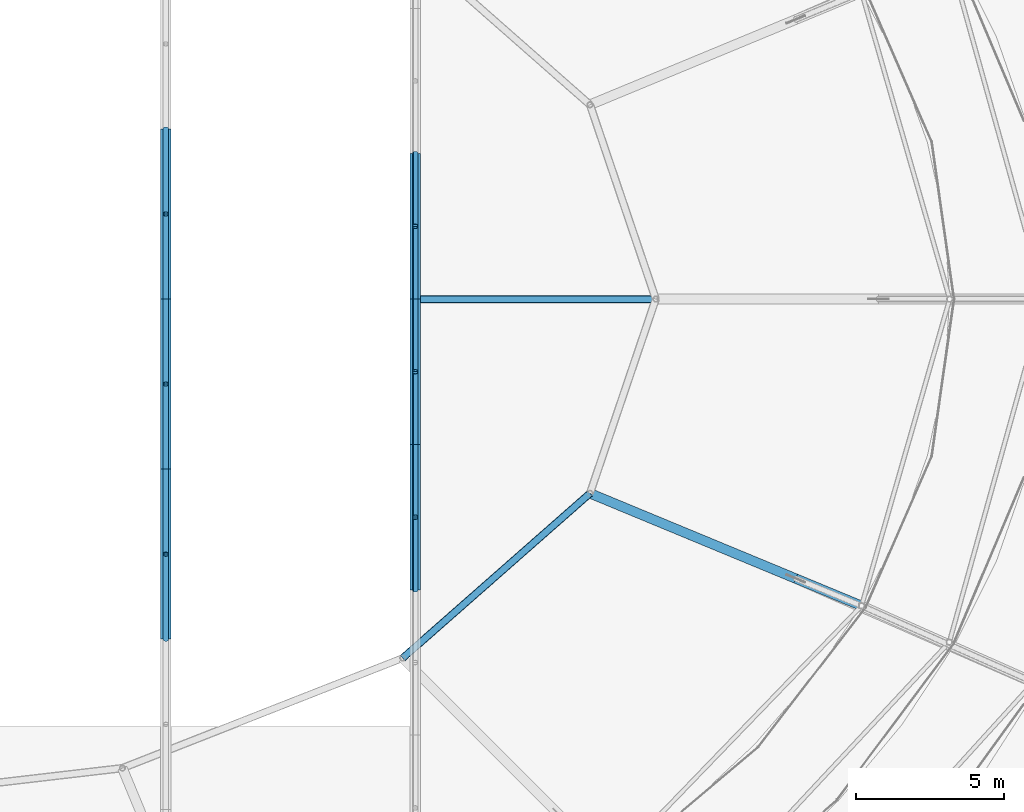
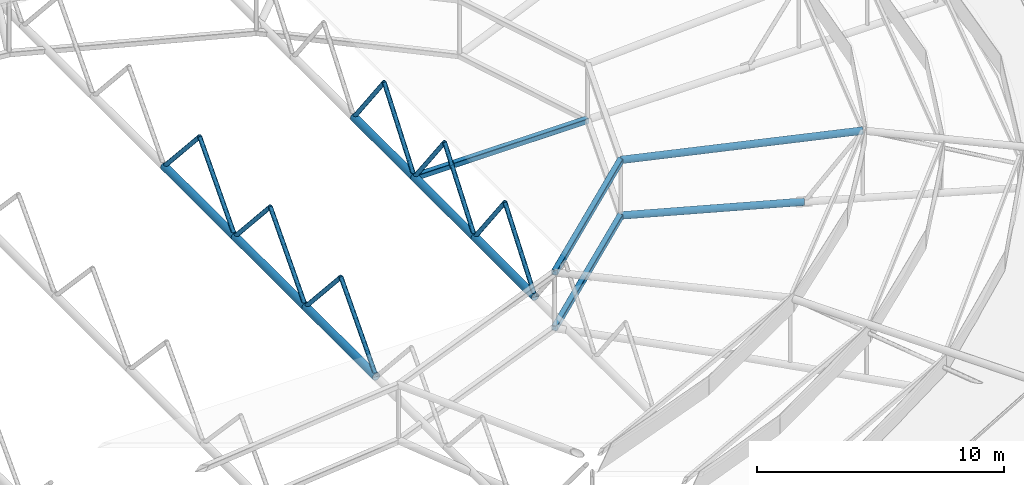
# One storey, part 34 of 134: 23 members.
"""IFC4 building model written with IfcOpenShell, lengths in metres."""

import ifcopenshell
import ifcopenshell.guid

model = None  # the IFC model being written
_history = None  # IfcOwnerHistory: only IFC2X3 demands one
_inside = {}  # id of a spatial element -> (the spatial element, [elements in it])
_under = {}  # id of a project, library or spatial element -> (it, [spatial elements below it])
_declared = {}  # id of a project -> (the project, [libraries it declares])
_typed = {}  # id of a type object -> (the type object, [elements of that type])
_made_of = {}  # id of a material, layer set ... -> (it, [elements and type objects made of it])


def new_model(schema):
    """Start an empty IFC model of exactly this schema.

    Asked for "IFC4X3", IfcOpenShell would pick the latest addendum, in which some entities
    have other attributes; the version numbers below select the first issue.
    IFC2X3 requires an IfcOwnerHistory on every rooted entity: one is made here for all.
    """
    global model, _history
    if schema == "IFC4X3":
        model = ifcopenshell.file(schema_version=(4, 3, 0, 0))
    else:
        model = ifcopenshell.file(schema=schema)
    _inside.clear()
    _under.clear()
    _declared.clear()
    _typed.clear()
    _made_of.clear()
    _history = None
    if model.schema == "IFC2X3":
        org = make("IfcOrganization", Name="unknown")
        user = make(
            "IfcPersonAndOrganization",
            ThePerson=make("IfcPerson", FamilyName="unknown"),
            TheOrganization=org,
        )
        app = make(
            "IfcApplication",
            ApplicationDeveloper=org,
            Version="unknown",
            ApplicationFullName="unknown",
            ApplicationIdentifier="unknown",
        )
        _history = make(
            "IfcOwnerHistory",
            OwningUser=user,
            OwningApplication=app,
            ChangeAction="ADDED",
            CreationDate=0,
        )
    return model


def make(cls, **values):
    """One entity of the class cls with the attributes given. An attribute that is None is left unset."""
    return model.create_entity(
        cls, **{name: value for name, value in values.items() if value is not None}
    )


def rooted(cls, **values):
    """An entity with a GlobalId (a new one), such as an element, a storey or a relation."""
    return make(cls, GlobalId=ifcopenshell.guid.new(), OwnerHistory=_history, **values)


def si_unit(unit_type, name, prefix=None):
    """IfcSIUnit, for example si_unit("LENGTHUNIT", "METRE", prefix="MILLI")."""
    return make("IfcSIUnit", UnitType=unit_type, Prefix=prefix, Name=name)


def derived_unit(unit_type, elements):
    """IfcDerivedUnit: a product of units, each with its exponent."""
    return make(
        "IfcDerivedUnit",
        Elements=[
            make("IfcDerivedUnitElement", Unit=unit, Exponent=power)
            for unit, power in elements
        ],
        UnitType=unit_type,
    )


def assignment(units):
    """IfcUnitAssignment: the units of a project."""
    return None if units is None else make("IfcUnitAssignment", Units=units)


def point(xyz):
    """IfcCartesianPoint."""
    return None if xyz is None else make("IfcCartesianPoint", Coordinates=xyz)


def direction(xyz):
    """IfcDirection."""
    return None if xyz is None else make("IfcDirection", DirectionRatios=xyz)


def frame(location, z_axis=None, x_axis=None):
    """IfcAxis2Placement3D, a coordinate frame: its origin and axes. An axis left out is left unset."""
    return make(
        "IfcAxis2Placement3D",
        Location=point(location),
        Axis=direction(z_axis),
        RefDirection=direction(x_axis),
    )


def frame_2d(location, x_axis=None):
    """IfcAxis2Placement2D, a coordinate frame in the plane: its origin and x axis."""
    return make(
        "IfcAxis2Placement2D", Location=point(location), RefDirection=direction(x_axis)
    )


def origin():
    """The frame at (0, 0, 0) with its axes left unset."""
    return frame((0.0, 0.0, 0.0))


def origin_2d():
    """The frame at (0, 0) in the plane with its x axis left unset."""
    return frame_2d((0.0, 0.0))


def place(relative_to, where):
    """IfcLocalPlacement: puts the frame where relative to a parent placement (None: the world)."""
    return make(
        "IfcLocalPlacement", PlacementRelTo=relative_to, RelativePlacement=where
    )


def context(
    kind, dimensions, precision=None, world=None, true_north=None, identifier=None
):
    """IfcGeometricRepresentationContext, for example the 3D "Model" context."""
    return make(
        "IfcGeometricRepresentationContext",
        ContextIdentifier=identifier,
        ContextType=kind,
        CoordinateSpaceDimension=dimensions,
        Precision=precision,
        WorldCoordinateSystem=world,
        TrueNorth=true_north,
    )


def subcontext(parent, identifier, kind, view, scale=None):
    """IfcGeometricRepresentationSubContext, for example "Body" below "Model"."""
    return make(
        "IfcGeometricRepresentationSubContext",
        ContextIdentifier=identifier,
        ContextType=kind,
        ParentContext=parent,
        TargetScale=scale,
        TargetView=view,
    )


def project(units=None, contexts=None):
    """IfcProject with its units and contexts."""
    return rooted(
        "IfcProject",
        Name="project",
        RepresentationContexts=contexts,
        UnitsInContext=assignment(units),
    )


def spatial(cls, under=None, at=None, **own):
    """A site, building, storey or space (cls), placed at a placement, below another one or the project."""
    s = rooted(cls, ObjectPlacement=at, **own)
    if under is not None:
        _under.setdefault(under.id(), (under, []))[1].append(s)
    return s


def profile(cls, at=None, kind="AREA", **sizes):
    """A parametric profile (cls). Its sizes go by their IFC names, for example OverallWidth=200.0."""
    return make(cls, ProfileType=kind, Position=at, **sizes)


def hollow_rectangle(**sizes):
    """IfcRectangleHollowProfileDef."""
    return profile("IfcRectangleHollowProfileDef", **sizes)


def hollow_circle(**sizes):
    """IfcCircleHollowProfileDef."""
    return profile("IfcCircleHollowProfileDef", **sizes)


def extrude(swept, where, along, depth):
    """IfcExtrudedAreaSolid: the profile swept, set in the frame where, extruded along a direction by depth."""
    return make(
        "IfcExtrudedAreaSolid",
        SweptArea=swept,
        Position=where,
        ExtrudedDirection=direction(along),
        Depth=depth,
    )


def shape(context_of_items, identifier, shape_type, items):
    """IfcShapeRepresentation: the items that make up one representation, for example the "Body"."""
    return make(
        "IfcShapeRepresentation",
        ContextOfItems=context_of_items,
        RepresentationIdentifier=identifier,
        RepresentationType=shape_type,
        Items=items,
    )


def material(Name=None, Category=None):
    """IfcMaterial."""
    return make("IfcMaterial", Name=Name, Category=Category)


def material_profile(
    of_material, cross_section, Name=None, Category=None, Priority=None
):
    """IfcMaterialProfile: a cross section and its material."""
    return make(
        "IfcMaterialProfile",
        Name=Name,
        Material=of_material,
        Profile=cross_section,
        Priority=Priority,
        Category=Category,
    )


def profile_set(profiles, Name=None, composite=None):
    """IfcMaterialProfileSet."""
    return make(
        "IfcMaterialProfileSet",
        Name=Name,
        MaterialProfiles=profiles,
        CompositeProfile=composite,
    )


def made_of(thing, what):
    """Note that an element or type object is made of a material, layer set ...; save() writes the relation."""
    if what is not None:
        _made_of.setdefault(what.id(), (what, []))[1].append(thing)
    return thing


def type_object(cls, material=None, **own):
    """A type object (cls), such as IfcWallType, which elements share."""
    return made_of(rooted(cls, **own), material)


def element(
    cls,
    number,
    at=None,
    inside=None,
    cuts=None,
    type_object=None,
    material=None,
    context=None,
    identifier="Body",
    shape_type=None,
    held_by="IfcProductDefinitionShape",
    body=None,
    shapes=None,
    **own,
):
    """One element of the class cls, such as IfcWall. Its Tag is "e" and its number.

    at: its placement. inside: the storey or other place that contains it. cuts: it is an
    opening in that element (IfcRelVoidsElement). A single representation is given by context,
    identifier, shape_type and body (its items); several are given by shapes. held_by: the class
    of the entity that holds the representations. save() writes the other relations.
    """
    e = rooted(cls, Tag="e%d" % number, ObjectPlacement=at, **own)
    if body is not None:
        shapes = [shape(context, identifier, shape_type, body)]
    if shapes is not None:
        e.Representation = make(held_by, Representations=shapes)
    if inside is not None:
        _inside.setdefault(inside.id(), (inside, []))[1].append(e)
    if cuts is not None:
        rooted(
            "IfcRelVoidsElement", RelatingBuildingElement=cuts, RelatedOpeningElement=e
        )
    if type_object is not None:
        _typed.setdefault(type_object.id(), (type_object, []))[1].append(e)
    return made_of(e, material)


def aggregate(whole, parts):
    """IfcRelAggregates: a whole, such as a stair, and the parts it consists of."""
    return rooted("IfcRelAggregates", RelatingObject=whole, RelatedObjects=parts)


def save(model, path):
    """Write the relations noted so far, then the file.

    IfcRelAggregates (storeys below a building ...), IfcRelContainedInSpatialStructure (elements
    in a storey), IfcRelDefinesByType, IfcRelAssociatesMaterial and IfcRelDeclares: one each for
    every whole, place, type object, material and project.
    """
    for whole, parts in _under.values():
        aggregate(whole, parts)
    for where, things in _inside.values():
        rooted(
            "IfcRelContainedInSpatialStructure",
            RelatedElements=things,
            RelatingStructure=where,
        )
    for kind, things in _typed.values():
        rooted("IfcRelDefinesByType", RelatedObjects=things, RelatingType=kind)
    for what, things in _made_of.values():
        rooted("IfcRelAssociatesMaterial", RelatedObjects=things, RelatingMaterial=what)
    for by, libraries in _declared.values():
        rooted("IfcRelDeclares", RelatingContext=by, RelatedDefinitions=libraries)
    model.write(path)


model = new_model("IFC4")

# Units and contexts
model_context = context("Model", 3, precision=1e-05, world=origin(), true_north=direction((0.0, 1.0)))
body_context = subcontext(model_context, "Body", "Model", "MODEL_VIEW")
ifc_project = project(units=[si_unit("LENGTHUNIT", "METRE"), si_unit("AREAUNIT", "SQUARE_METRE"), si_unit("VOLUMEUNIT", "CUBIC_METRE"), si_unit("PLANEANGLEUNIT", "RADIAN"), si_unit("MASSUNIT", "GRAM", prefix="KILO"), derived_unit("THERMALTRANSMITTANCEUNIT", [(si_unit("MASSUNIT", "GRAM", prefix="KILO"), 1), (si_unit("TIMEUNIT", "SECOND"), -3), (si_unit("THERMODYNAMICTEMPERATUREUNIT", "KELVIN"), -1)])], contexts=[model_context])

# Site, building, storey
site_placement = place(None, origin())
site = spatial("IfcSite", under=ifc_project, at=site_placement, CompositionType="ELEMENT")
building_placement = place(site_placement, origin())
building = spatial("IfcBuilding", under=site, at=building_placement, Name="Kharveza Railside Sports Centre", CompositionType="ELEMENT")
storey_placement = place(building_placement, frame((0.0, 0.0, 12.89990234375)))
storey = spatial("IfcBuildingStorey", under=building, at=storey_placement, Name="L03", CompositionType="ELEMENT", Elevation=12.89990234375)

# Members
ifc_material = material(Name="Steel S355J2", Category="steel")
ifc_material_profile_1 = material_profile(ifc_material, hollow_circle(Radius=0.177734375, WallThickness=0.01611328125, at=origin_2d()), Name="CHS 355.6x16.0")
ifc_profile_set_1 = profile_set([ifc_material_profile_1], Name="Steel S355J2")
member_type_1 = type_object("IfcMemberType", Name="MB-CH01", PredefinedType="CHORD", material=ifc_profile_set_1)
for number, where, z_axis, x_axis, name in (
    (1, (67.199951171875, 38.9423828125, -0.0498046875), (0.0, 1.0, 0.0), (-1.0, 0.0, 0.0), "MB-V1TR-BC-5-3"),
    (2, (67.199951171875, 44.671142578125, -0.0498046875), (0.0, 1.0, 0.0), (-1.0, 0.0, 0.0), "MB-V1TR-BC-5-4"),
):
    element("IfcMember", number, at=place(storey_placement, frame(where, z_axis=z_axis, x_axis=x_axis)), inside=storey, type_object=member_type_1, Name=name, PredefinedType="CHORD", context=body_context, shape_type="SweptSolid", body=[
        extrude(hollow_circle(Radius=0.177734375, WallThickness=0.01611328125, at=origin_2d()), origin(), (0.0, 0.0, 1.0), 5.728759765625),
    ])
member_1_placement = place(storey_placement, frame((67.199951171875, 50.39990234375, -0.0498046875), z_axis=(0.0, 1.0, 0.0), x_axis=(-1.0, 0.0, 0.0)))
element("IfcMember", 3, at=member_1_placement, inside=storey, type_object=member_type_1, Name="MB-V1TR-BC-5-5", PredefinedType="CHORD", context=body_context, shape_type="SweptSolid", body=[
    extrude(hollow_circle(Radius=0.177734375, WallThickness=0.01611328125, at=origin_2d()), origin(), (0.0, 0.0, 1.0), 5.72900390625),
])
member_2_placement = place(storey_placement, frame((75.60009765625, 40.606689453125, -0.0498046875), z_axis=(0.0, 1.0, 0.0), x_axis=(-1.0, 0.0, 0.0)))
element("IfcMember", 4, at=member_2_placement, inside=storey, type_object=member_type_1, Name="MB-V1TR-BC-6-3", PredefinedType="CHORD", context=body_context, shape_type="SweptSolid", body=[
    extrude(hollow_circle(Radius=0.177734375, WallThickness=0.01611328125, at=origin_2d()), origin(), (0.0, 0.0, 1.0), 4.896728515625),
])
member_3_placement = place(storey_placement, frame((75.60009765625, 45.50341796875, -0.0498046875), z_axis=(0.0, 1.0, 0.0), x_axis=(-1.0, 0.0, 0.0)))
element("IfcMember", 5, at=member_3_placement, inside=storey, type_object=member_type_1, Name="MB-V1TR-BC-6-4", PredefinedType="CHORD", context=body_context, shape_type="SweptSolid", body=[
    extrude(hollow_circle(Radius=0.177734375, WallThickness=0.01611328125, at=origin_2d()), origin(), (0.0, 0.0, 1.0), 4.896484375),
])
member_4_placement = place(storey_placement, frame((75.60009765625, 50.39990234375, -0.0498046875), z_axis=(0.0, 1.0, 0.0), x_axis=(-1.0, 0.0, 0.0)))
element("IfcMember", 6, at=member_4_placement, inside=storey, type_object=member_type_1, Name="MB-V1TR-BC-6-5", PredefinedType="CHORD", context=body_context, shape_type="SweptSolid", body=[
    extrude(hollow_circle(Radius=0.177734375, WallThickness=0.01611328125, at=origin_2d()), origin(), (0.0, 0.0, 1.0), 4.896728515625),
])
ifc_material_profile_2 = material_profile(ifc_material, hollow_circle(Radius=0.161865234375, WallThickness=0.01611328125, at=origin_2d()), Name="CHS 323.9x16.0")
ifc_profile_set_2 = profile_set([ifc_material_profile_2], Name="Steel S355J2")
member_type_2 = type_object("IfcMemberType", Name="MB-CH02", PredefinedType="CHORD", material=ifc_profile_set_2)
member_5_placement = place(storey_placement, frame((81.48486328125, 43.856201171875, -0.0498046875), z_axis=(0.92388194159, -0.382677616283, 0.0), x_axis=(0.382677616283, 0.92388194159, 0.0)))
element("IfcMember", 7, at=member_5_placement, inside=storey, type_object=member_type_2, Name="MB-OUT-BC1-16", PredefinedType="CHORD", context=body_context, shape_type="SweptSolid", body=[
    extrude(hollow_circle(Radius=0.161865234375, WallThickness=0.01611328125, at=origin_2d()), origin(), (0.0, 0.0, 1.0), 7.5),
])
member_6_placement = place(storey_placement, frame((81.48486328125, 43.856201171875, 2.7001953125), z_axis=(0.922450278207, -0.38211365224, 0.055449445508), x_axis=(0.382702441477, 0.92387165845, 0.0)))
element("IfcMember", 8, at=member_6_placement, inside=storey, type_object=member_type_2, Name="MB-OUT-TC1-16", PredefinedType="CHORD", context=body_context, shape_type="SweptSolid", body=[
    extrude(hollow_circle(Radius=0.161865234375, WallThickness=0.01611328125, at=origin_2d()), origin(), (0.0, 0.0, 1.0), 9.91552734375),
])
ifc_material_profile_3 = material_profile(ifc_material, hollow_rectangle(XDim=0.25, YDim=0.25, WallThickness=0.012451171875, InnerFilletRadius=0.012451171875, OuterFilletRadius=0.02490234375, at=origin_2d()), Name="SHS 250x250x12.5")
ifc_profile_set_3 = profile_set([ifc_material_profile_3], Name="Steel S355J2")
member_type_3 = type_object("IfcMemberType", Name="MB-CH05", PredefinedType="CHORD", material=ifc_profile_set_3)
for number, where, z_axis, x_axis, name in (
    (9, (75.1767578125, 38.30859375, -0.0498046875), (0.75092160936, 0.660391351091, 0.0), (-0.660391351091, 0.75092160936, 0.0), "MB-INRING-BOT-15"),
    (10, (75.1767578125, 38.30859375, 2.7001953125), (0.75092160936, 0.660391351091, 0.0), (-0.660391351091, 0.75092160936, 0.0), "MB-INRING-TOP-15"),
):
    element("IfcMember", number, at=place(storey_placement, frame(where, z_axis=z_axis, x_axis=x_axis)), inside=storey, type_object=member_type_3, Name=name, PredefinedType="CHORD", context=body_context, shape_type="SweptSolid", body=[
        extrude(hollow_rectangle(XDim=0.25, YDim=0.25, WallThickness=0.012451171875, InnerFilletRadius=0.012451171875, OuterFilletRadius=0.02490234375, at=origin_2d()), origin(), (0.0, 0.0, 1.0), 8.400390625),
    ])
member_7_placement = place(storey_placement, frame((83.699951171875, 50.39990234375, -0.0498046875), z_axis=(-1.0, 0.0, 0.0), x_axis=(0.0, -1.0, 0.0)))
element("IfcMember", 11, at=member_7_placement, inside=storey, type_object=member_type_3, Name="MB-INRING-TIE-01", PredefinedType="CHORD", context=body_context, shape_type="SweptSolid", body=[
    extrude(hollow_rectangle(XDim=0.25, YDim=0.25, WallThickness=0.012451171875, InnerFilletRadius=0.012451171875, OuterFilletRadius=0.02490234375, at=origin_2d()), origin(), (0.0, 0.0, 1.0), 8.099853515625),
])
ifc_material_profile_4 = material_profile(ifc_material, hollow_circle(Radius=0.096923828125, WallThickness=0.010009765625, at=origin_2d()), Name="CHS 193.7x10.0")
ifc_profile_set_4 = profile_set([ifc_material_profile_4], Name="Steel S355J2")
member_type_4 = type_object("IfcMemberType", Name="MB-ST02", PredefinedType="STRUT", material=ifc_profile_set_4)
for number, where, z_axis, x_axis, name in (
    (12, (67.199951171875, 38.9423828125, -0.0498046875), (0.0, 0.666942739043, 0.745108973801), (-1.0, 0.0, 0.0), "MB-V1TR-D1-5-3"),
    (13, (67.199951171875, 41.806640625, 3.150146484375), (0.0, 0.666974298635, -0.745080723788), (-1.0, 0.0, 0.0), "MB-V1TR-D2-5-3"),
    (14, (67.199951171875, 44.671142578125, -0.0498046875), (0.0, 0.666974298635, 0.745080723788), (-1.0, 0.0, 0.0), "MB-V1TR-D1-5-4"),
    (15, (67.199951171875, 47.53564453125, 3.150146484375), (0.0, 0.666942739043, -0.745108973801), (-1.0, 0.0, 0.0), "MB-V1TR-D2-5-4"),
    (16, (67.199951171875, 50.39990234375, -0.0498046875), (0.0, 0.666974298635, 0.745080723788), (-1.0, 0.0, 0.0), "MB-V1TR-D1-5-5"),
    (17, (67.199951171875, 53.264404296875, 3.150146484375), (0.0, 0.666974298635, -0.745080723788), (-1.0, 0.0, 0.0), "MB-V1TR-D2-5-5"),
):
    element("IfcMember", number, at=place(storey_placement, frame(where, z_axis=z_axis, x_axis=x_axis)), inside=storey, type_object=member_type_4, Name=name, PredefinedType="STRUT", context=body_context, shape_type="SweptSolid", body=[
        extrude(hollow_circle(Radius=0.096923828125, WallThickness=0.010009765625, at=origin_2d()), origin(), (0.0, 0.0, 1.0), 4.294677734375),
    ])
member_8_placement = place(storey_placement, frame((75.60009765625, 40.606689453125, -0.0498046875), z_axis=(0.0, 0.607679486015, 0.794182373436), x_axis=(-1.0, 0.0, 0.0)))
element("IfcMember", 18, at=member_8_placement, inside=storey, type_object=member_type_4, Name="MB-V1TR-D1-6-3", PredefinedType="STRUT", context=body_context, shape_type="SweptSolid", body=[
    extrude(hollow_circle(Radius=0.096923828125, WallThickness=0.010009765625, at=origin_2d()), origin(), (0.0, 0.0, 1.0), 4.029296875),
])
for number, where, z_axis, x_axis, name in (
    (19, (75.60009765625, 43.05517578125, 3.150146484375), (0.0, 0.60764126683, -0.794211615909), (-1.0, 0.0, 0.0), "MB-V1TR-D2-6-3"),
    (20, (75.60009765625, 45.50341796875, -0.0498046875), (0.0, 0.60764126683, 0.794211615909), (-1.0, 0.0, 0.0), "MB-V1TR-D1-6-4"),
    (21, (75.60009765625, 47.95166015625, 3.150146484375), (0.0, 0.60764126683, -0.794211615909), (-1.0, 0.0, 0.0), "MB-V1TR-D2-6-4"),
):
    element("IfcMember", number, at=place(storey_placement, frame(where, z_axis=z_axis, x_axis=x_axis)), inside=storey, type_object=member_type_4, Name=name, PredefinedType="STRUT", context=body_context, shape_type="SweptSolid", body=[
        extrude(hollow_circle(Radius=0.096923828125, WallThickness=0.010009765625, at=origin_2d()), origin(), (0.0, 0.0, 1.0), 4.029052734375),
    ])
member_9_placement = place(storey_placement, frame((75.60009765625, 50.39990234375, -0.0498046875), z_axis=(0.0, 0.607679486015, 0.794182373436), x_axis=(-1.0, 0.0, 0.0)))
element("IfcMember", 22, at=member_9_placement, inside=storey, type_object=member_type_4, Name="MB-V1TR-D1-6-5", PredefinedType="STRUT", context=body_context, shape_type="SweptSolid", body=[
    extrude(hollow_circle(Radius=0.096923828125, WallThickness=0.010009765625, at=origin_2d()), origin(), (0.0, 0.0, 1.0), 4.029296875),
])
member_10_placement = place(storey_placement, frame((75.60009765625, 52.848388671875, 3.150146484375), z_axis=(0.0, 0.60764126683, -0.794211615909), x_axis=(-1.0, 0.0, 0.0)))
element("IfcMember", 23, at=member_10_placement, inside=storey, type_object=member_type_4, Name="MB-V1TR-D2-6-5", PredefinedType="STRUT", context=body_context, shape_type="SweptSolid", body=[
    extrude(hollow_circle(Radius=0.096923828125, WallThickness=0.010009765625, at=origin_2d()), origin(), (0.0, 0.0, 1.0), 4.029052734375),
])

save(model, "model.ifc")
